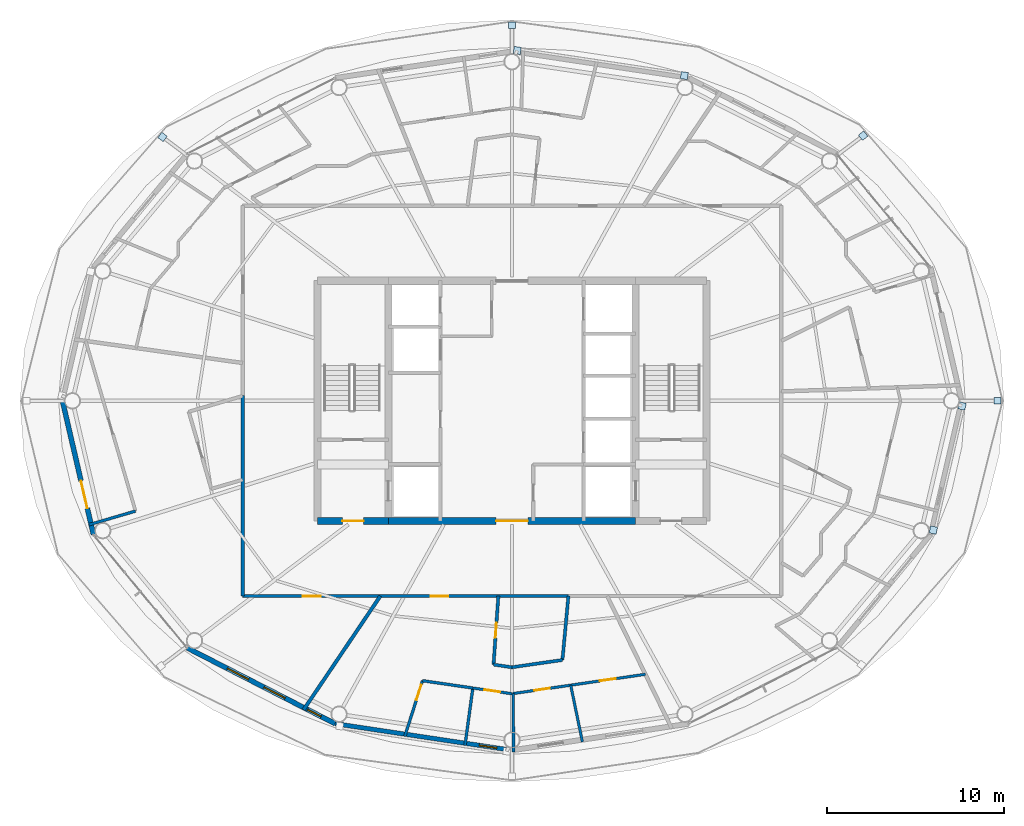
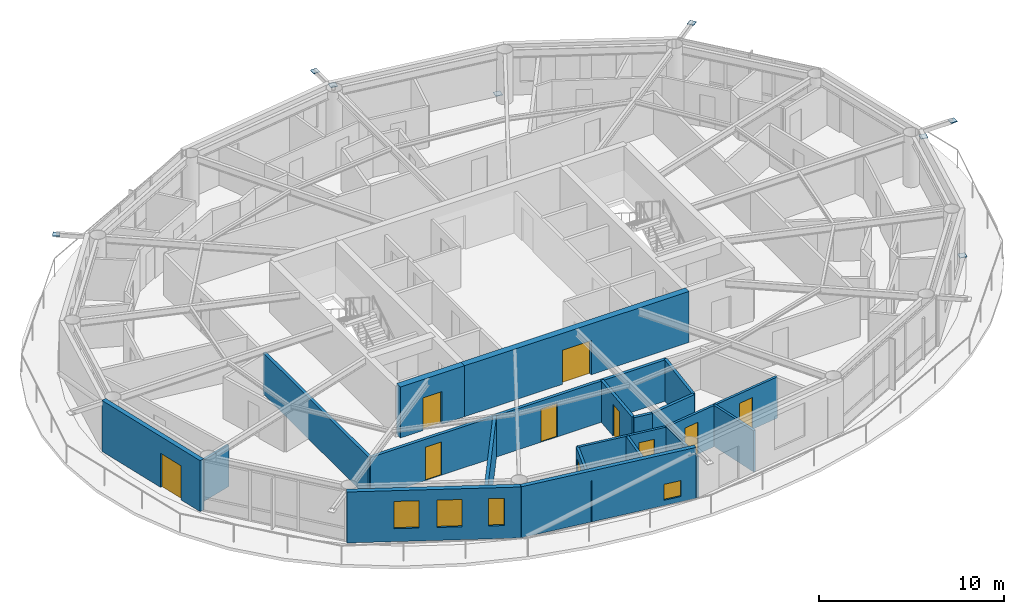
# One storey, part 15 of 23: 20 walls, 10 doors, 8 plates, 4 windows, 14 openings.
"""IFC4 building model written with IfcOpenShell, lengths in metres."""

from ifc_helpers import new_model, si_unit, direction, frame, frame_2d, origin, origin_2d, place, context, subcontext, project, spatial, rectangle, extrude, material, layer, layer_set, type_object, element, fill, save


model = new_model("IFC4")

# Units and contexts
model_context = context("Model", 3, precision=1e-05, world=origin(), true_north=direction((0.0, 1.0)))
body_context = subcontext(model_context, "Body", "Model", "MODEL_VIEW")
ifc_project = project(units=[si_unit("LENGTHUNIT", "METRE"), si_unit("AREAUNIT", "SQUARE_METRE"), si_unit("VOLUMEUNIT", "CUBIC_METRE"), si_unit("PLANEANGLEUNIT", "RADIAN"), si_unit("MASSUNIT", "GRAM", prefix="KILO")], contexts=[model_context])

# Site, building, storey
site_placement = place(None, origin())
site = spatial("IfcSite", under=ifc_project, at=site_placement, CompositionType="ELEMENT")
building_placement = place(site_placement, origin())
building = spatial("IfcBuilding", under=site, at=building_placement, Name="Sarneth Arch Tower", CompositionType="ELEMENT")
storey_placement = place(building_placement, frame((0.0, 0.0, 228.0)))
storey = spatial("IfcBuildingStorey", under=building, at=storey_placement, Name="L58", CompositionType="ELEMENT", Elevation=228.0)

# Plates
ifc_material_1 = material(Name="Steel S355", Category="steel")
ifc_layer_1 = layer(ifc_material_1, 0.035888671875)
ifc_layer_set_1 = layer_set([ifc_layer_1], Name="Steel S355")
plate_type = type_object("IfcPlateType", Name="PLT-GUSSET-30", PredefinedType="SHEET", material=ifc_layer_set_1)
for number, where, z_axis, x_axis, name in (
    (1, (75.477294921875, 42.0, 3.18212890625), (0.0, 0.0, 1.0), (1.0, 0.0, 0.0), "Steel end cap plate GP-1"),
    (2, (67.876220703125, 57.01220703125, 3.18212890625), (0.0, 0.0, 1.0), (0.798004853043, 0.602651022168, 0.0), "Steel end cap plate GP-1"),
):
    element("IfcPlate", number, at=place(storey_placement, frame(where, z_axis=z_axis, x_axis=x_axis)), inside=storey, type_object=plate_type, Name=name, PredefinedType="SHEET", context=body_context, shape_type="SweptSolid", body=[
        extrude(rectangle(XDim=0.3798828125, YDim=0.3798828125, at=origin_2d()), origin(), (0.0, 0.0, 1.0), 0.035888671875),
    ])
for number, where, z_axis, x_axis, name in (
    (3, (57.754150390625, 60.411376953125, 0.001953125), (0.0, 0.0, 1.0), (-0.988860535448, 0.148845024885, 0.0), "Steel end cap plate GP-1"),
    (4, (48.296630859375, 61.83544921875, 3.0185546875), (0.0, 0.0, 1.0), (-0.988860535448, 0.148845024885, 0.0), "Steel end cap plate GP-1"),
):
    element("IfcPlate", number, at=place(storey_placement, frame(where, z_axis=z_axis, x_axis=x_axis)), inside=storey, type_object=plate_type, Name=name, PredefinedType="SHEET", context=body_context, shape_type="SweptSolid", body=[
        extrude(rectangle(XDim=0.404052734375, YDim=0.404052734375, at=origin_2d()), origin(), (0.0, 0.0, 1.0), 0.035888671875),
    ])
for number, where, z_axis, x_axis, name in (
    (5, (48.0, 63.256103515625, 3.18212890625), (0.0, 0.0, 1.0), (0.0, 1.0, 0.0), "Steel end cap plate GP-1"),
    (6, (28.215087890625, 56.943359375, 3.18212890625), (0.0, 0.0, 1.0), (-0.798004853043, 0.602651022168, 0.0), "Steel end cap plate GP-1"),
):
    element("IfcPlate", number, at=place(storey_placement, frame(where, z_axis=z_axis, x_axis=x_axis)), inside=storey, type_object=plate_type, Name=name, PredefinedType="SHEET", context=body_context, shape_type="SweptSolid", body=[
        extrude(rectangle(XDim=0.3798828125, YDim=0.3798828125, at=origin_2d()), origin(), (0.0, 0.0, 1.0), 0.035888671875),
    ])
for number, where, z_axis, x_axis, name in (
    (7, (71.851806640625, 34.6845703125, 0.001953125), (0.0, 0.0, 1.0), (0.225461202458, 0.974252147129, 0.0), "Steel end cap plate GP-1"),
    (8, (73.4765625, 41.707763671875, 3.0185546875), (0.0, 0.0, 1.0), (0.225461202458, 0.974252147129, 0.0), "Steel end cap plate GP-1"),
):
    element("IfcPlate", number, at=place(storey_placement, frame(where, z_axis=z_axis, x_axis=x_axis)), inside=storey, type_object=plate_type, Name=name, PredefinedType="SHEET", context=body_context, shape_type="SweptSolid", body=[
        extrude(rectangle(XDim=0.404052734375, YDim=0.404052734375, at=origin_2d()), origin(), (0.0, 0.0, 1.0), 0.035888671875),
    ])

# Wall, opening, door
ifc_material_2 = material(Name="Concrete C50/60", Category="concrete")
ifc_layer_2 = layer(ifc_material_2, 0.39990234375)
ifc_layer_set_2 = layer_set([ifc_layer_2], Name="Concrete C50/60")
wall_type_1 = type_object("IfcWallType", Name="WALL-CORE-400", PredefinedType="SHEAR", material=ifc_layer_set_2)
wall_1_placement = place(storey_placement, frame((37.0, 35.199951171875, 0.0), z_axis=(0.0, 0.0, 1.0), x_axis=(1.0, 0.0, 0.0)))
wall_1 = element("IfcWall", 9, at=wall_1_placement, inside=storey, type_object=wall_type_1, Name="L58 Core shear wall S-W", PredefinedType="SHEAR", context=body_context, shape_type="SweptSolid", body=[
    extrude(rectangle(XDim=4.0, YDim=0.39990234375, at=frame_2d((2.0, 0.0))), origin(), (0.0, 0.0, 1.0), 3.360107421875),
])
opening_1_placement = place(wall_1_placement, frame((1.39990234375, 0.0, 0.0)))
opening_1 = element("IfcOpeningElement", 10, at=opening_1_placement, cuts=wall_1, Name="Opening FD-02", PredefinedType="OPENING", context=body_context, shape_type="SweptSolid", body=[
    extrude(rectangle(XDim=1.199951171875, YDim=2.14990234375, at=frame_2d((0.60009765625, 1.074951171875))), frame((0.0, 0.2099609375, 0.0), z_axis=(0.0, -1.0, 0.0), x_axis=(1.0, 0.0, 0.0)), (0.0, 0.0, 1.0), 0.419921875),
])
ifc_material_3 = material(Name="Galvanised Steel S275 fire door set", Category="steel")
door_type_1 = type_object("IfcDoorType", Name="DR-FD90-1200", OperationType="SINGLE_SWING_LEFT", PredefinedType="DOOR", material=ifc_material_3)
door_1_placement = place(opening_1_placement, origin())
door_1 = element("IfcDoor", 11, at=door_1_placement, inside=storey, type_object=door_type_1, Name="L58 Firefighting lobby 1 exit door", OperationType="SINGLE_SWING_LEFT", OverallHeight=2.14990234375, OverallWidth=1.199951171875, PredefinedType="DOOR", context=body_context, shape_type="SweptSolid", body=[
    extrude(rectangle(XDim=1.199951171875, YDim=2.14990234375, at=frame_2d((0.60009765625, 1.074951171875))), frame((0.0, 0.02490234375, 0.0), z_axis=(0.0, -1.0, 0.0), x_axis=(1.0, 0.0, 0.0)), (0.0, 0.0, 1.0), 0.050048828125),
])
fill(opening_1, door_1)

wall_2_placement = place(storey_placement, frame((41.0, 35.199951171875, 0.0), z_axis=(0.0, 0.0, 1.0), x_axis=(1.0, 0.0, 0.0)))
wall_2 = element("IfcWall", 12, at=wall_2_placement, inside=storey, type_object=wall_type_1, Name="L58 Core shear wall S-M", PredefinedType="SHEAR", context=body_context, shape_type="SweptSolid", body=[
    extrude(rectangle(XDim=14.0, YDim=0.39990234375, at=frame_2d((7.0, 0.0))), origin(), (0.0, 0.0, 1.0), 3.360107421875),
])
opening_2_placement = place(wall_2_placement, frame((6.10009765625, 0.0, 0.0)))
opening_2 = element("IfcOpeningElement", 13, at=opening_2_placement, cuts=wall_2, Name="Opening FD-01", PredefinedType="OPENING", context=body_context, shape_type="SweptSolid", body=[
    extrude(rectangle(XDim=1.800048828125, YDim=2.25, at=frame_2d((0.89990234375, 1.125))), frame((0.0, 0.2099609375, 0.0), z_axis=(0.0, -1.0, 0.0), x_axis=(1.0, 0.0, 0.0)), (0.0, 0.0, 1.0), 0.419921875),
])
ifc_material_4 = material(Name="Galvanised Steel S275 fire door set", Category="steel")
door_type_2 = type_object("IfcDoorType", Name="DR-FD90-1800", OperationType="DOUBLE_DOOR_SINGLE_SWING", PredefinedType="DOOR", material=ifc_material_4)
door_2_placement = place(opening_2_placement, origin())
door_2 = element("IfcDoor", 14, at=door_2_placement, inside=storey, type_object=door_type_2, Name="L58 Central lift lobby south door", OperationType="DOUBLE_DOOR_SINGLE_SWING", OverallHeight=2.25, OverallWidth=1.800048828125, PredefinedType="DOOR", context=body_context, shape_type="SweptSolid", body=[
    extrude(rectangle(XDim=1.800048828125, YDim=2.25, at=frame_2d((0.89990234375, 1.125))), frame((0.0, 0.02490234375, 0.0), z_axis=(0.0, -1.0, 0.0), x_axis=(1.0, 0.0, 0.0)), (0.0, 0.0, 1.0), 0.050048828125),
])
fill(opening_2, door_2)

# Wall, openings, doors
ifc_material_5 = material(Name="Double steel-stud corridor fire wall", Category="steel")
ifc_layer_3 = layer(ifc_material_5, 0.18994140625)
ifc_layer_set_3 = layer_set([ifc_layer_3], Name="Double steel-stud corridor fire wall")
wall_type_2 = type_object("IfcWallType", Name="WALL-CORR-190", PredefinedType="PARTITIONING", material=ifc_layer_set_3)
wall_3_placement = place(storey_placement, frame((51.2255859375, 30.949951171875, 0.0), z_axis=(0.0, 0.0, 1.0), x_axis=(-1.0, 0.0, 0.0)))
wall_3 = element("IfcWall", 15, at=wall_3_placement, inside=storey, type_object=wall_type_2, Name="L58 Interior partition W-L58-TP-010", PredefinedType="PARTITIONING", context=body_context, shape_type="SweptSolid", body=[
    extrude(rectangle(XDim=18.4755859375, YDim=0.18994140625, at=frame_2d((9.23779296875, 0.0))), origin(), (0.0, 0.0, 1.0), 2.719970703125),
])
opening_3_placement = place(wall_3_placement, frame((14.057861328125, 0.0, 0.0)))
opening_3 = element("IfcOpeningElement", 16, at=opening_3_placement, cuts=wall_3, Name="Opening FD-08", PredefinedType="OPENING", context=body_context, shape_type="SweptSolid", body=[
    extrude(rectangle(XDim=1.0, YDim=2.199951171875, at=frame_2d((0.5, 1.10009765625))), frame((0.0, 0.10498046875, 0.0), z_axis=(0.0, -1.0, 0.0), x_axis=(1.0, 0.0, 0.0)), (0.0, 0.0, 1.0), 0.2099609375),
])
opening_4_placement = place(wall_3_placement, frame((6.838623046875, 0.0, 0.0)))
opening_4 = element("IfcOpeningElement", 17, at=opening_4_placement, cuts=wall_3, Name="Opening FD-08", PredefinedType="OPENING", context=body_context, shape_type="SweptSolid", body=[
    extrude(rectangle(XDim=1.0, YDim=2.199951171875, at=frame_2d((0.5, 1.10009765625))), frame((0.0, 0.10498046875, 0.0), z_axis=(0.0, -1.0, 0.0), x_axis=(1.0, 0.0, 0.0)), (0.0, 0.0, 1.0), 0.2099609375),
])
ifc_material_6 = material(Name="Hardwood timber acoustic fire door", Category="wood")
door_type_3 = type_object("IfcDoorType", Name="DR-FD60-1000", OperationType="SINGLE_SWING_LEFT", PredefinedType="DOOR", material=ifc_material_6)
door_3_placement = place(opening_3_placement, origin())
door_3 = element("IfcDoor", 18, at=door_3_placement, inside=storey, type_object=door_type_3, Name="L58 Interior door DR-L58-U4-ENT", OperationType="SINGLE_SWING_RIGHT", OverallHeight=2.199951171875, OverallWidth=1.0, PredefinedType="DOOR", context=body_context, shape_type="SweptSolid", body=[
    extrude(rectangle(XDim=1.0, YDim=2.199951171875, at=frame_2d((0.5, 1.10009765625))), frame((0.0, 0.02490234375, 0.0), z_axis=(0.0, -1.0, 0.0), x_axis=(1.0, 0.0, 0.0)), (0.0, 0.0, 1.0), 0.050048828125),
])
fill(opening_3, door_3)
door_4_placement = place(opening_4_placement, origin())
door_4 = element("IfcDoor", 19, at=door_4_placement, inside=storey, type_object=door_type_3, Name="L58 Interior door DR-L58-U5-ENT", OperationType="SINGLE_SWING_RIGHT", OverallHeight=2.199951171875, OverallWidth=1.0, PredefinedType="DOOR", context=body_context, shape_type="SweptSolid", body=[
    extrude(rectangle(XDim=1.0, YDim=2.199951171875, at=frame_2d((0.5, 1.10009765625))), frame((0.0, 0.02490234375, 0.0), z_axis=(0.0, -1.0, 0.0), x_axis=(1.0, 0.0, 0.0)), (0.0, 0.0, 1.0), 0.050048828125),
])
fill(opening_4, door_4)

# Wall
wall_4_placement = place(storey_placement, frame((32.75, 30.949951171875, 0.0), z_axis=(0.0, 0.0, 1.0), x_axis=(0.0, 1.0, 0.0)))
element("IfcWall", 20, at=wall_4_placement, inside=storey, type_object=wall_type_2, Name="L58 Interior partition W-L58-TP-011", PredefinedType="PARTITIONING", context=body_context, shape_type="SweptSolid", body=[
    extrude(rectangle(XDim=11.359619140625, YDim=0.18994140625, at=frame_2d((5.6796875, 0.0))), origin(), (0.0, 0.0, 1.0), 2.719970703125),
])

# Wall, opening, window
ifc_material_7 = material(Name="Extruded terracotta rainscreen on Concrete C40/50 backing", Category="masonry")
ifc_layer_4 = layer(ifc_material_7, 0.25)
ifc_layer_set_4 = layer_set([ifc_layer_4], Name="Extruded terracotta rainscreen on Concrete C40/50 backing")
wall_type_3 = type_object("IfcWallType", Name="WALL-EXT-SPAND-250", PredefinedType="SOLIDWALL", material=ifc_layer_set_4)
wall_5_placement = place(storey_placement, frame((37.9873046875, 23.7255859375, 0.0), z_axis=(0.0, 0.0, 1.0), x_axis=(0.988882522213, -0.148698881169, 0.0)))
wall_5 = element("IfcWall", 21, at=wall_5_placement, inside=storey, type_object=wall_type_3, Name="L58 Terracotta perimeter wall 12", PredefinedType="SOLIDWALL", context=body_context, shape_type="SweptSolid", body=[
    extrude(rectangle(XDim=10.125244140625, YDim=0.25, at=frame_2d((5.0625, 0.0))), origin(), (0.0, 0.0, 1.0), 3.360107421875),
])
opening_5_placement = place(wall_5_placement, frame((8.259033203125, 0.0, 0.35009765625)))
opening_5 = element("IfcOpeningElement", 22, at=opening_5_placement, cuts=wall_5, Name="Opening W-14", PredefinedType="OPENING", context=body_context, shape_type="SweptSolid", body=[
    extrude(rectangle(XDim=1.0, YDim=1.050048828125, at=frame_2d((0.5, 0.52490234375))), frame((0.0, 0.135009765625, 0.0), z_axis=(0.0, -1.0, 0.0), x_axis=(1.0, 0.0, 0.0)), (0.0, 0.0, 1.0), 0.27001953125),
])
ifc_material_8 = material(Name="Thermally broken Aluminium 6063-T6 and low-e laminated IGU", Category="aluminium")
window_type_1 = type_object("IfcWindowType", Name="WIN-TWR-1000x1050", PartitioningType="SINGLE_PANEL", PredefinedType="WINDOW", material=ifc_material_8)
window_1_placement = place(opening_5_placement, origin())
window_1 = element("IfcWindow", 23, at=window_1_placement, inside=storey, type_object=window_type_1, Name="L58 Dwelling bedroom window 05", OverallHeight=1.050048828125, OverallWidth=1.0, PartitioningType="SINGLE_PANEL", PredefinedType="WINDOW", context=body_context, shape_type="SweptSolid", body=[
    extrude(rectangle(XDim=1.0, YDim=1.050048828125, at=frame_2d((0.5, 0.52490234375))), frame((0.0, 0.030029296875, 0.0), z_axis=(0.0, -1.0, 0.0), x_axis=(1.0, 0.0, 0.0)), (0.0, 0.0, 1.0), 0.06005859375),
])
fill(opening_5, window_1)

# Wall, opening, door
ifc_material_9 = material(Name="Extruded terracotta rainscreen on Concrete C40/50 backing", Category="masonry")
ifc_layer_5 = layer(ifc_material_9, 0.280029296875)
ifc_layer_set_5 = layer_set([ifc_layer_5], Name="Extruded terracotta rainscreen on Concrete C40/50 backing")
wall_type_4 = type_object("IfcWallType", Name="WALL-EXT-TERRA-280", PredefinedType="SOLIDWALL", material=ifc_layer_set_5)
wall_6_placement = place(storey_placement, frame((22.552978515625, 42.0, 0.0), z_axis=(0.0, 0.0, 1.0), x_axis=(0.225635078214, -0.974211892495, 0.0)))
wall_6 = element("IfcWall", 24, at=wall_6_placement, inside=storey, type_object=wall_type_4, Name="L58 Terracotta perimeter wall 09", PredefinedType="SOLIDWALL", context=body_context, shape_type="SweptSolid", body=[
    extrude(rectangle(XDim=7.77001953125, YDim=0.280029296875, at=frame_2d((3.885009765625, 0.0))), origin(), (0.0, 0.0, 1.0), 3.360107421875),
])
opening_6_placement = place(wall_6_placement, frame((4.64208984375, 0.0, 0.0)))
opening_6 = element("IfcOpeningElement", 25, at=opening_6_placement, cuts=wall_6, Name="Opening BD-1", PredefinedType="OPENING", context=body_context, shape_type="SweptSolid", body=[
    extrude(rectangle(XDim=1.60009765625, YDim=2.25, at=frame_2d((0.800048828125, 1.125))), frame((0.0, 0.14990234375, 0.0), z_axis=(0.0, -1.0, 0.0), x_axis=(1.0, 0.0, 0.0)), (0.0, 0.0, 1.0), 0.300048828125),
])
ifc_material_10 = material(Name="Thermally broken Aluminium 6063-T6 and laminated safety glass", Category="aluminium")
door_type_4 = type_object("IfcDoorType", Name="DR-BALC-GLZ-1600", OperationType="DOUBLE_DOOR_SINGLE_SWING", PredefinedType="DOOR", material=ifc_material_10)
door_5_placement = place(opening_6_placement, origin())
door_5 = element("IfcDoor", 26, at=door_5_placement, inside=storey, type_object=door_type_4, Name="L58 Balcony glazed door 09", OperationType="DOUBLE_DOOR_SINGLE_SWING", OverallHeight=2.25, OverallWidth=1.60009765625, PredefinedType="DOOR", context=body_context, shape_type="SweptSolid", body=[
    extrude(rectangle(XDim=1.60009765625, YDim=2.25, at=frame_2d((0.800048828125, 1.125))), frame((0.0, 0.02490234375, 0.0), z_axis=(0.0, -1.0, 0.0), x_axis=(1.0, 0.0, 0.0)), (0.0, 0.0, 1.0), 0.050048828125),
])
fill(opening_6, door_5)

# Wall, openings, windows
wall_7_placement = place(storey_placement, frame((29.617431640625, 28.013427734375, 0.0), z_axis=(0.0, 0.0, 1.0), x_axis=(0.890007394051, -0.455946091699, 0.0)))
wall_7 = element("IfcWall", 27, at=wall_7_placement, inside=storey, type_object=wall_type_4, Name="L58 Terracotta perimeter wall 11", PredefinedType="SOLIDWALL", context=body_context, shape_type="SweptSolid", body=[
    extrude(rectangle(XDim=9.404296875, YDim=0.280029296875, at=frame_2d((4.7021484375, 0.0))), origin(), (0.0, 0.0, 1.0), 3.360107421875),
])
opening_7_placement = place(wall_7_placement, frame((2.552978515625, 0.0, 0.85009765625)))
opening_7 = element("IfcOpeningElement", 28, at=opening_7_placement, cuts=wall_7, Name="Opening W-08", PredefinedType="OPENING", context=body_context, shape_type="SweptSolid", body=[
    extrude(rectangle(XDim=1.35009765625, YDim=1.800048828125, at=frame_2d((0.675048828125, 0.89990234375))), frame((0.0, 0.14990234375, 0.0), z_axis=(0.0, -1.0, 0.0), x_axis=(1.0, 0.0, 0.0)), (0.0, 0.0, 1.0), 0.300048828125),
])
opening_8_placement = place(wall_7_placement, frame((4.88037109375, 0.0, 0.85009765625)))
opening_8 = element("IfcOpeningElement", 29, at=opening_8_placement, cuts=wall_7, Name="Opening W-08", PredefinedType="OPENING", context=body_context, shape_type="SweptSolid", body=[
    extrude(rectangle(XDim=1.35009765625, YDim=1.800048828125, at=frame_2d((0.675048828125, 0.89990234375))), frame((0.0, 0.14990234375, 0.0), z_axis=(0.0, -1.0, 0.0), x_axis=(1.0, 0.0, 0.0)), (0.0, 0.0, 1.0), 0.300048828125),
])
opening_9_placement = place(wall_7_placement, frame((7.66259765625, 0.0, 0.85009765625)))
opening_9 = element("IfcOpeningElement", 30, at=opening_9_placement, cuts=wall_7, Name="Opening W-12", PredefinedType="OPENING", context=body_context, shape_type="SweptSolid", body=[
    extrude(rectangle(XDim=0.85009765625, YDim=1.800048828125, at=frame_2d((0.425048828125, 0.89990234375))), frame((0.0, 0.14990234375, 0.0), z_axis=(0.0, -1.0, 0.0), x_axis=(1.0, 0.0, 0.0)), (0.0, 0.0, 1.0), 0.300048828125),
])
ifc_material_11 = material(Name="Thermally broken Aluminium 6063-T6 and low-e laminated IGU", Category="aluminium")
window_type_2 = type_object("IfcWindowType", Name="WIN-TWR-1350x1800", PartitioningType="SINGLE_PANEL", PredefinedType="WINDOW", material=ifc_material_11)
window_2_placement = place(opening_7_placement, origin())
window_2 = element("IfcWindow", 31, at=window_2_placement, inside=storey, type_object=window_type_2, Name="L58 Exterior window 11A", OverallHeight=1.800048828125, OverallWidth=1.35009765625, PartitioningType="SINGLE_PANEL", PredefinedType="WINDOW", context=body_context, shape_type="SweptSolid", body=[
    extrude(rectangle(XDim=1.35009765625, YDim=1.800048828125, at=frame_2d((0.675048828125, 0.89990234375))), frame((0.0, 0.030029296875, 0.0), z_axis=(0.0, -1.0, 0.0), x_axis=(1.0, 0.0, 0.0)), (0.0, 0.0, 1.0), 0.06005859375),
])
fill(opening_7, window_2)
window_3_placement = place(opening_8_placement, origin())
window_3 = element("IfcWindow", 32, at=window_3_placement, inside=storey, type_object=window_type_2, Name="L58 Exterior window 11B", OverallHeight=1.800048828125, OverallWidth=1.35009765625, PartitioningType="SINGLE_PANEL", PredefinedType="WINDOW", context=body_context, shape_type="SweptSolid", body=[
    extrude(rectangle(XDim=1.35009765625, YDim=1.800048828125, at=frame_2d((0.675048828125, 0.89990234375))), frame((0.0, 0.030029296875, 0.0), z_axis=(0.0, -1.0, 0.0), x_axis=(1.0, 0.0, 0.0)), (0.0, 0.0, 1.0), 0.06005859375),
])
fill(opening_8, window_3)
ifc_material_12 = material(Name="Thermally broken Aluminium 6063-T6 and low-e laminated IGU", Category="aluminium")
window_type_3 = type_object("IfcWindowType", Name="WIN-TWR-850x1800", PartitioningType="SINGLE_PANEL", PredefinedType="WINDOW", material=ifc_material_12)
window_4_placement = place(opening_9_placement, origin())
window_4 = element("IfcWindow", 33, at=window_4_placement, inside=storey, type_object=window_type_3, Name="L58 Dwelling bedroom window 04", OverallHeight=1.800048828125, OverallWidth=0.85009765625, PartitioningType="SINGLE_PANEL", PredefinedType="WINDOW", context=body_context, shape_type="SweptSolid", body=[
    extrude(rectangle(XDim=0.85009765625, YDim=1.800048828125, at=frame_2d((0.425048828125, 0.89990234375))), frame((0.0, 0.030029296875, 0.0), z_axis=(0.0, -1.0, 0.0), x_axis=(1.0, 0.0, 0.0)), (0.0, 0.0, 1.0), 0.06005859375),
])
fill(opening_9, window_4)

# Wall, openings, doors
ifc_material_13 = material(Name="Acoustic gypsum stud partition", Category="gypsum")
ifc_layer_6 = layer(ifc_material_13, 0.14990234375)
ifc_layer_set_6 = layer_set([ifc_layer_6], Name="Acoustic gypsum stud partition")
wall_type_5 = type_object("IfcWallType", Name="WALL-PART-150", PredefinedType="PARTITIONING", material=ifc_layer_set_6)
wall_8_placement = place(storey_placement, frame((55.5498046875, 26.52099609375, 0.0), z_axis=(0.0, 0.0, 1.0), x_axis=(-0.989535469331, -0.144289829636, 0.0)))
wall_8 = element("IfcWall", 34, at=wall_8_placement, inside=storey, type_object=wall_type_5, Name="L58 Interior partition W-L58-TP-088", PredefinedType="PARTITIONING", context=body_context, shape_type="SweptSolid", body=[
    extrude(rectangle(XDim=7.588623046875, YDim=0.14990234375, at=frame_2d((3.79443359375, 0.0))), origin(), (0.0, 0.0, 1.0), 2.719970703125),
])
opening_10_placement = place(wall_8_placement, frame((1.701416015625, 0.0, 0.0)))
opening_10 = element("IfcOpeningElement", 35, at=opening_10_placement, cuts=wall_8, Name="Opening ID-01", PredefinedType="OPENING", context=body_context, shape_type="SweptSolid", body=[
    extrude(rectangle(XDim=0.89990234375, YDim=2.10009765625, at=frame_2d((0.449951171875, 1.050048828125))), frame((0.0, 0.0849609375, 0.0), z_axis=(0.0, -1.0, 0.0), x_axis=(1.0, 0.0, 0.0)), (0.0, 0.0, 1.0), 0.169921875),
])
opening_11_placement = place(wall_8_placement, frame((5.463623046875, 0.0, 0.0)))
opening_11 = element("IfcOpeningElement", 36, at=opening_11_placement, cuts=wall_8, Name="Opening ID-01", PredefinedType="OPENING", context=body_context, shape_type="SweptSolid", body=[
    extrude(rectangle(XDim=0.89990234375, YDim=2.10009765625, at=frame_2d((0.449951171875, 1.050048828125))), frame((0.0, 0.0849609375, 0.0), z_axis=(0.0, -1.0, 0.0), x_axis=(1.0, 0.0, 0.0)), (0.0, 0.0, 1.0), 0.169921875),
])
ifc_material_14 = material(Name="Engineered hardwood flush door", Category="wood")
door_type_5 = type_object("IfcDoorType", Name="DR-INT-900", OperationType="SINGLE_SWING_LEFT", PredefinedType="DOOR", material=ifc_material_14)
door_6_placement = place(opening_10_placement, origin())
door_6 = element("IfcDoor", 37, at=door_6_placement, inside=storey, type_object=door_type_5, Name="L58 Interior door DR-L58-U5-BED3", OperationType="SINGLE_SWING_RIGHT", OverallHeight=2.10009765625, OverallWidth=0.89990234375, PredefinedType="DOOR", context=body_context, shape_type="SweptSolid", body=[
    extrude(rectangle(XDim=0.89990234375, YDim=2.10009765625, at=frame_2d((0.449951171875, 1.050048828125))), frame((0.0, 0.02490234375, 0.0), z_axis=(0.0, -1.0, 0.0), x_axis=(1.0, 0.0, 0.0)), (0.0, 0.0, 1.0), 0.050048828125),
])
fill(opening_10, door_6)
door_7_placement = place(opening_11_placement, origin())
door_7 = element("IfcDoor", 38, at=door_7_placement, inside=storey, type_object=door_type_5, Name="L58 Interior door DR-L58-U5-BED2", OperationType="SINGLE_SWING_LEFT", OverallHeight=2.10009765625, OverallWidth=0.89990234375, PredefinedType="DOOR", context=body_context, shape_type="SweptSolid", body=[
    extrude(rectangle(XDim=0.89990234375, YDim=2.10009765625, at=frame_2d((0.449951171875, 1.050048828125))), frame((0.0, 0.02490234375, 0.0), z_axis=(0.0, -1.0, 0.0), x_axis=(1.0, 0.0, 0.0)), (0.0, 0.0, 1.0), 0.050048828125),
])
fill(opening_11, door_7)

# Walls
wall_9_placement = place(storey_placement, frame((48.087158203125, 22.113037109375, 0.0), z_axis=(0.0, 0.0, 1.0), x_axis=(-0.004415292895, 0.999990252547, 0.0)))
element("IfcWall", 39, at=wall_9_placement, inside=storey, type_object=wall_type_5, Name="L58 Interior partition W-L58-TP-091", PredefinedType="PARTITIONING", context=body_context, shape_type="SweptSolid", body=[
    extrude(rectangle(XDim=3.317626953125, YDim=0.14990234375, at=frame_2d((1.65869140625, 0.0))), origin(), (0.0, 0.0, 1.0), 2.719970703125),
])
wall_10_placement = place(storey_placement, frame((51.32373046875, 25.90478515625, 0.0), z_axis=(0.0, 0.0, 1.0), x_axis=(0.202292458381, -0.979325156055, 0.0)))
element("IfcWall", 40, at=wall_10_placement, inside=storey, type_object=wall_type_5, Name="L58 Interior partition W-L58-TP-092", PredefinedType="PARTITIONING", context=body_context, shape_type="SweptSolid", body=[
    extrude(rectangle(XDim=3.274169921875, YDim=0.14990234375, at=frame_2d((1.63720703125, 0.0))), origin(), (0.0, 0.0, 1.0), 2.719970703125),
])

# Wall, opening, door
wall_11_placement = place(storey_placement, frame((45.783203125, 25.743408203125, 0.0), z_axis=(0.0, 0.0, 1.0), x_axis=(0.989520009013, -0.144395816293, 0.0)))
wall_11 = element("IfcWall", 41, at=wall_11_placement, inside=storey, type_object=wall_type_5, Name="L58 Interior partition W-L58-TP-086", PredefinedType="PARTITIONING", context=body_context, shape_type="SweptSolid", body=[
    extrude(rectangle(XDim=2.240234375, YDim=0.14990234375, at=frame_2d((1.1201171875, 0.0))), origin(), (0.0, 0.0, 1.0), 2.719970703125),
])
opening_12_placement = place(wall_11_placement, frame((0.670166015625, 0.0, 0.0)))
opening_12 = element("IfcOpeningElement", 42, at=opening_12_placement, cuts=wall_11, Name="Opening ID-01", PredefinedType="OPENING", context=body_context, shape_type="SweptSolid", body=[
    extrude(rectangle(XDim=0.89990234375, YDim=2.10009765625, at=frame_2d((0.449951171875, 1.050048828125))), frame((0.0, 0.0849609375, 0.0), z_axis=(0.0, -1.0, 0.0), x_axis=(1.0, 0.0, 0.0)), (0.0, 0.0, 1.0), 0.169921875),
])
door_8_placement = place(opening_12_placement, origin())
door_8 = element("IfcDoor", 43, at=door_8_placement, inside=storey, type_object=door_type_5, Name="L58 Interior door DR-L58-U5-BED1", OperationType="SINGLE_SWING_RIGHT", OverallHeight=2.10009765625, OverallWidth=0.89990234375, PredefinedType="DOOR", context=body_context, shape_type="SweptSolid", body=[
    extrude(rectangle(XDim=0.89990234375, YDim=2.10009765625, at=frame_2d((0.449951171875, 1.050048828125))), frame((0.0, 0.02490234375, 0.0), z_axis=(0.0, -1.0, 0.0), x_axis=(1.0, 0.0, 0.0)), (0.0, 0.0, 1.0), 0.050048828125),
])
fill(opening_12, door_8)

ifc_material_15 = material(Name="Kitchen wet service chase wall", Category="gypsum")
ifc_layer_7 = layer(ifc_material_15, 0.159912109375)
ifc_layer_set_7 = layer_set([ifc_layer_7], Name="Kitchen wet service chase wall")
wall_type_6 = type_object("IfcWallType", Name="WALL-PLUMB-160", PredefinedType="PLUMBINGWALL", material=ifc_layer_set_7)
wall_12_placement = place(storey_placement, frame((41.931396484375, 23.0126953125, 0.0), z_axis=(0.0, 0.0, 1.0), x_axis=(0.304448437733, 0.952528817812, 0.0)))
wall_12 = element("IfcWall", 44, at=wall_12_placement, inside=storey, type_object=wall_type_6, Name="L58 Interior partition W-L58-TP-080", PredefinedType="PLUMBINGWALL", context=body_context, shape_type="SweptSolid", body=[
    extrude(rectangle(XDim=3.30224609375, YDim=0.159912109375, at=frame_2d((1.651123046875, 0.0))), origin(), (0.0, 0.0, 1.0), 2.719970703125),
])
opening_13_placement = place(wall_12_placement, frame((2.1611328125, 0.0, 0.0)))
opening_13 = element("IfcOpeningElement", 45, at=opening_13_placement, cuts=wall_12, Name="Opening ID-01", PredefinedType="OPENING", context=body_context, shape_type="SweptSolid", body=[
    extrude(rectangle(XDim=0.89990234375, YDim=2.10009765625, at=frame_2d((0.449951171875, 1.050048828125))), frame((0.0, 0.08984375, 0.0), z_axis=(0.0, -1.0, 0.0), x_axis=(1.0, 0.0, 0.0)), (0.0, 0.0, 1.0), 0.179931640625),
])
door_9_placement = place(opening_13_placement, origin())
door_9 = element("IfcDoor", 46, at=door_9_placement, inside=storey, type_object=door_type_5, Name="L58 Interior door DR-L58-U5-KIT", OperationType="SINGLE_SWING_RIGHT", OverallHeight=2.10009765625, OverallWidth=0.89990234375, PredefinedType="DOOR", context=body_context, shape_type="SweptSolid", body=[
    extrude(rectangle(XDim=0.89990234375, YDim=2.10009765625, at=frame_2d((0.449951171875, 1.050048828125))), frame((0.0, 0.02490234375, 0.0), z_axis=(0.0, -1.0, 0.0), x_axis=(1.0, 0.0, 0.0)), (0.0, 0.0, 1.0), 0.050048828125),
])
fill(opening_13, door_9)

# Walls
wall_13_placement = place(storey_placement, frame((45.3408203125, 22.49853515625, 0.0), z_axis=(0.0, 0.0, 1.0), x_axis=(0.135083263994, 0.990834250412, 0.0)))
element("IfcWall", 47, at=wall_13_placement, inside=storey, type_object=wall_type_6, Name="L58 Interior partition W-L58-TP-090", PredefinedType="PLUMBINGWALL", context=body_context, shape_type="SweptSolid", body=[
    extrude(rectangle(XDim=3.27490234375, YDim=0.159912109375, at=frame_2d((1.637451171875, 0.0))), origin(), (0.0, 0.0, 1.0), 2.719970703125),
])
wall_14_placement = place(storey_placement, frame((42.936767578125, 26.158203125, 0.0), z_axis=(0.0, 0.0, 1.0), x_axis=(0.989548377589, -0.144201277427, 0.0)))
element("IfcWall", 48, at=wall_14_placement, inside=storey, type_object=wall_type_6, Name="L58 Interior partition W-L58-TP-081", PredefinedType="PLUMBINGWALL", context=body_context, shape_type="SweptSolid", body=[
    extrude(rectangle(XDim=2.87646484375, YDim=0.159912109375, at=frame_2d((1.438232421875, 0.0))), origin(), (0.0, 0.0, 1.0), 2.719970703125),
])
wall_15_placement = place(storey_placement, frame((26.688232421875, 35.760009765625, 0.0), z_axis=(0.0, 0.0, 1.0), x_axis=(-0.959690607454, -0.281058602368, 0.0)))
element("IfcWall", 49, at=wall_15_placement, inside=storey, type_object=wall_type_6, Name="L58 Interior partition W-L58-TP-078", PredefinedType="PLUMBINGWALL", context=body_context, shape_type="SweptSolid", body=[
    extrude(rectangle(XDim=2.744873046875, YDim=0.159912109375, at=frame_2d((1.37255859375, 0.0))), origin(), (0.0, 0.0, 1.0), 2.719970703125),
])

# Wall, opening, door
ifc_material_16 = material(Name="Moisture-resistant plumbing chase wall", Category="gypsum")
ifc_layer_8 = layer(ifc_material_16, 0.179931640625)
ifc_layer_set_8 = layer_set([ifc_layer_8], Name="Moisture-resistant plumbing chase wall")
wall_type_7 = type_object("IfcWallType", Name="WALL-PLUMB-180", PredefinedType="PLUMBINGWALL", material=ifc_layer_set_8)
wall_16_placement = place(storey_placement, frame((47.227294921875, 30.949951171875, 0.0), z_axis=(0.0, 0.0, 1.0), x_axis=(-0.0697885329, -0.997561807948, 0.0)))
wall_16 = element("IfcWall", 50, at=wall_16_placement, inside=storey, type_object=wall_type_7, Name="L58 Interior partition W-L58-TP-082", PredefinedType="PLUMBINGWALL", context=body_context, shape_type="SweptSolid", body=[
    extrude(rectangle(XDim=3.89013671875, YDim=0.179931640625, at=frame_2d((1.945068359375, 0.0))), origin(), (0.0, 0.0, 1.0), 2.719970703125),
])
opening_14_placement = place(wall_16_placement, frame((1.52001953125, 0.0, 0.0)))
opening_14 = element("IfcOpeningElement", 51, at=opening_14_placement, cuts=wall_16, Name="Opening ID-02", PredefinedType="OPENING", context=body_context, shape_type="SweptSolid", body=[
    extrude(rectangle(XDim=0.85009765625, YDim=2.10009765625, at=frame_2d((0.425048828125, 1.050048828125))), frame((0.0, 0.099853515625, 0.0), z_axis=(0.0, -1.0, 0.0), x_axis=(1.0, 0.0, 0.0)), (0.0, 0.0, 1.0), 0.199951171875),
])
ifc_material_17 = material(Name="Moisture-resistant bathroom timber door", Category="wood")
door_type_6 = type_object("IfcDoorType", Name="DR-INT-850", OperationType="SINGLE_SWING_RIGHT", PredefinedType="DOOR", material=ifc_material_17)
door_10_placement = place(opening_14_placement, origin())
door_10 = element("IfcDoor", 52, at=door_10_placement, inside=storey, type_object=door_type_6, Name="L58 Interior door DR-L58-U5-BATH", OperationType="SINGLE_SWING_RIGHT", OverallHeight=2.10009765625, OverallWidth=0.85009765625, PredefinedType="DOOR", context=body_context, shape_type="SweptSolid", body=[
    extrude(rectangle(XDim=0.85009765625, YDim=2.10009765625, at=frame_2d((0.425048828125, 1.050048828125))), frame((0.0, 0.02490234375, 0.0), z_axis=(0.0, -1.0, 0.0), x_axis=(1.0, 0.0, 0.0)), (0.0, 0.0, 1.0), 0.050048828125),
])
fill(opening_14, door_10)

# Walls
wall_17_placement = place(storey_placement, frame((50.855224609375, 27.32861328125, 0.0), z_axis=(0.0, 0.0, 1.0), x_axis=(0.093035036072, 0.995662835534, 0.0)))
element("IfcWall", 53, at=wall_17_placement, inside=storey, type_object=wall_type_7, Name="L58 Interior partition W-L58-TP-085", PredefinedType="PLUMBINGWALL", context=body_context, shape_type="SweptSolid", body=[
    extrude(rectangle(XDim=3.63720703125, YDim=0.179931640625, at=frame_2d((1.818603515625, 0.0))), origin(), (0.0, 0.0, 1.0), 2.719970703125),
])
wall_18_placement = place(storey_placement, frame((48.0, 26.919921875, 0.0), z_axis=(0.0, 0.0, 1.0), x_axis=(0.989910519943, 0.141693904265, 0.0)))
element("IfcWall", 54, at=wall_18_placement, inside=storey, type_object=wall_type_7, Name="L58 Interior partition W-L58-TP-084", PredefinedType="PLUMBINGWALL", context=body_context, shape_type="SweptSolid", body=[
    extrude(rectangle(XDim=2.88427734375, YDim=0.179931640625, at=frame_2d((1.442138671875, 0.0))), origin(), (0.0, 0.0, 1.0), 2.719970703125),
])
wall_19_placement = place(storey_placement, frame((46.955810546875, 27.0693359375, 0.0), z_axis=(0.0, 0.0, 1.0), x_axis=(0.989917064499, -0.141648174766, 0.0)))
element("IfcWall", 55, at=wall_19_placement, inside=storey, type_object=wall_type_7, Name="L58 Interior partition W-L58-TP-083", PredefinedType="PLUMBINGWALL", context=body_context, shape_type="SweptSolid", body=[
    extrude(rectangle(XDim=1.054931640625, YDim=0.179931640625, at=frame_2d((0.52734375, 0.0))), origin(), (0.0, 0.0, 1.0), 2.719970703125),
])
ifc_material_18 = material(Name="Double steel-stud acoustic drywall", Category="steel")
ifc_layer_9 = layer(ifc_material_18, 0.199951171875)
ifc_layer_set_9 = layer_set([ifc_layer_9], Name="Double steel-stud acoustic drywall")
wall_type_8 = type_object("IfcWallType", Name="WALL-UNIT-200", PredefinedType="PARTITIONING", material=ifc_layer_set_9)
wall_20_placement = place(storey_placement, frame((36.20068359375, 24.507080078125, 0.0), z_axis=(0.0, 0.0, 1.0), x_axis=(0.559208454265, 0.8290270832, 0.0)))
element("IfcWall", 56, at=wall_20_placement, inside=storey, type_object=wall_type_8, Name="L58 Interior partition W-L58-TP-079", PredefinedType="PARTITIONING", context=body_context, shape_type="SweptSolid", body=[
    extrude(rectangle(XDim=7.771484375, YDim=0.199951171875, at=frame_2d((3.8857421875, 0.0))), origin(), (0.0, 0.0, 1.0), 2.719970703125),
])

save(model, "model.ifc")
